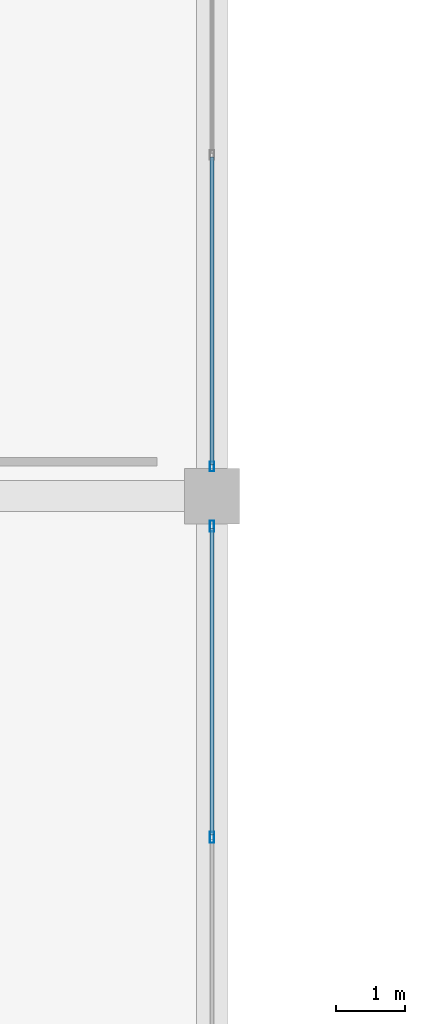
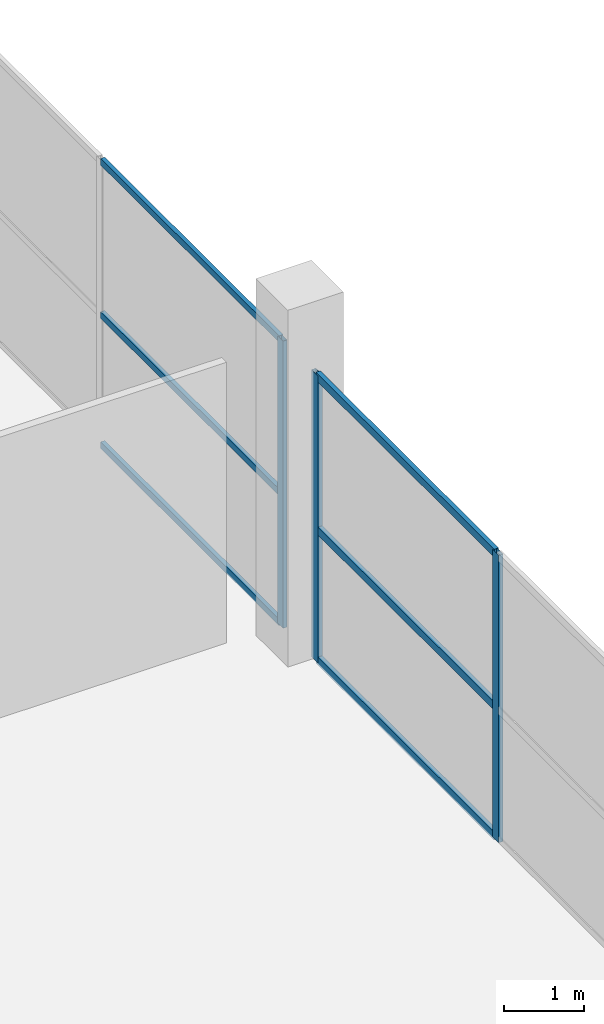
# One storey, part 29 of 72: 9 members, 2 elements without a shape of their own.
"""IFC4 building model written with IfcOpenShell, lengths in metres."""

from ifc_helpers import new_model, si_unit, direction, frame, origin, origin_2d, place, context, subcontext, project, spatial, hollow_rectangle, extrude, material, layer, layer_set, material_profile, profile_set, type_object, element, aggregate, save


model = new_model("IFC4")

# Units and contexts
model_context = context("Model", 3, precision=1e-05, world=origin(), true_north=direction((0.0, 1.0)))
body_context = subcontext(model_context, "Body", "Model", "MODEL_VIEW")
ifc_project = project(units=[si_unit("LENGTHUNIT", "METRE"), si_unit("AREAUNIT", "SQUARE_METRE"), si_unit("VOLUMEUNIT", "CUBIC_METRE"), si_unit("PLANEANGLEUNIT", "RADIAN"), si_unit("MASSUNIT", "GRAM", prefix="KILO")], contexts=[model_context])

# Site, building, storey
site_placement = place(None, origin())
site = spatial("IfcSite", under=ifc_project, at=site_placement, CompositionType="ELEMENT")
building_placement = place(site_placement, origin())
building = spatial("IfcBuilding", under=site, at=building_placement, Name="Sillaruma Civic Art Gallery", CompositionType="ELEMENT")
storey_placement = place(building_placement, frame((0.0, 0.0, 10.8798828125)))
storey = spatial("IfcBuildingStorey", under=building, at=storey_placement, Name="L02", CompositionType="ELEMENT", Elevation=10.8798828125)

# Curtain wall, member
ifc_material = material(Name="Thermally Broken Extruded Aluminium 6063-T6", Category="aluminium")
ifc_layer_1 = layer(ifc_material, 0.139892578125, Name="Thermally Broken Extruded Aluminium 6063-T6")
ifc_layer_set_1 = layer_set([ifc_layer_1], Name="Thermally Broken Extruded Aluminium 6063-T6")
curtain_wall_type_1 = type_object("IfcCurtainWallType", Name="CW-UNI-18", PredefinedType="NOTDEFINED", material=ifc_layer_set_1)
curtain_wall_1_placement = place(storey_placement, origin())
curtain_wall_1 = element("IfcCurtainWall", 1, at=curtain_wall_1_placement, inside=storey, type_object=curtain_wall_type_1, Name="Unitised Curtain Wall CW-18 (CW-L02-SPE-6)", PredefinedType="NOTDEFINED")
ifc_material_profile_1 = material_profile(ifc_material, hollow_rectangle(XDim=0.06005859375, YDim=0.139892578125, WallThickness=0.00341796875, at=origin_2d()), Name="CWM60x140")
ifc_profile_set_1 = profile_set([ifc_material_profile_1], Name="Thermally Broken Extruded Aluminium 6063-T6")
member_type_1 = type_object("IfcMemberType", Name="MEM-MUL-CWM60x140", PredefinedType="MULLION", material=ifc_profile_set_1)
member_1_placement = place(storey_placement, frame((114.39990234375, 69.72998046875, 0.0), z_axis=(0.0, 0.0, 1.0), x_axis=(-1.0, 0.0, 0.0)))
member_1 = element("IfcMember", 2, at=member_1_placement, type_object=member_type_1, Name="CW-18 mullion 1", PredefinedType="MULLION", context=body_context, shape_type="SweptSolid", body=[
    extrude(hollow_rectangle(XDim=0.06005859375, YDim=0.139892578125, WallThickness=0.00341796875, at=origin_2d()), origin(), (0.0, 0.0, 1.0), 4.380126953125),
])

# Curtain wall, members
ifc_layer_2 = layer(ifc_material, 0.159912109375, Name="Thermally Broken Extruded Aluminium 6063-T6")
ifc_layer_set_2 = layer_set([ifc_layer_2], Name="Thermally Broken Extruded Aluminium 6063-T6")
curtain_wall_type_2 = type_object("IfcCurtainWallType", Name="CW-UNI-17", PredefinedType="NOTDEFINED", material=ifc_layer_set_2)
curtain_wall_2_placement = place(storey_placement, origin())
curtain_wall_2 = element("IfcCurtainWall", 3, at=curtain_wall_2_placement, inside=storey, type_object=curtain_wall_type_2, Name="Unitised Curtain Wall CW-17 (CW-L02-SPE-5)", PredefinedType="NOTDEFINED")
ifc_material_profile_2 = material_profile(ifc_material, hollow_rectangle(XDim=0.06494140625, YDim=0.159912109375, WallThickness=0.00390625, at=origin_2d()), Name="CWM65x160")
ifc_profile_set_2 = profile_set([ifc_material_profile_2], Name="Thermally Broken Extruded Aluminium 6063-T6")
member_type_2 = type_object("IfcMemberType", Name="MEM-MUL-CWM65x160", PredefinedType="MULLION", material=ifc_profile_set_2)
member_2_placement = place(storey_placement, frame((114.39990234375, 64.35009765625, 0.0), z_axis=(0.0, 0.0, 1.0), x_axis=(-1.0, 0.0, 0.0)))
member_2 = element("IfcMember", 4, at=member_2_placement, type_object=member_type_2, Name="CW-17 mullion 2", PredefinedType="MULLION", context=body_context, shape_type="SweptSolid", body=[
    extrude(hollow_rectangle(XDim=0.06494140625, YDim=0.159912109375, WallThickness=0.00390625, at=origin_2d()), origin(), (0.0, 0.0, 1.0), 4.380126953125),
])
member_3_placement = place(storey_placement, frame((114.39990234375, 68.867431640625, 0.0), z_axis=(0.0, 0.0, 1.0), x_axis=(-1.0, 0.0, 0.0)))
member_3 = element("IfcMember", 5, at=member_3_placement, type_object=member_type_2, Name="CW-17 mullion 3", PredefinedType="MULLION", context=body_context, shape_type="SweptSolid", body=[
    extrude(hollow_rectangle(XDim=0.06494140625, YDim=0.159912109375, WallThickness=0.00390625, at=origin_2d()), origin(), (0.0, 0.0, 1.0), 4.380126953125),
])

# Member
ifc_material_profile_3 = material_profile(ifc_material, hollow_rectangle(XDim=0.06005859375, YDim=0.10009765625, WallThickness=0.003173828125, at=origin_2d()), Name="CWT60x100")
ifc_profile_set_3 = profile_set([ifc_material_profile_3], Name="Thermally Broken Extruded Aluminium 6063-T6")
member_type_3 = type_object("IfcMemberType", Name="MEM-TRN-CWT60x100", PredefinedType="USERDEFINED", material=ifc_profile_set_3)
member_4_placement = place(storey_placement, frame((114.39990234375, 69.760009765625, 0.030029296875), z_axis=(0.0, 1.0, 0.0), x_axis=(-1.0, 0.0, 0.0)))
member_4 = element("IfcMember", 6, at=member_4_placement, type_object=member_type_3, Name="CW-18 transom 1.1", ObjectType="TRANSOM", PredefinedType="USERDEFINED", context=body_context, shape_type="SweptSolid", body=[
    extrude(hollow_rectangle(XDim=0.06005859375, YDim=0.10009765625, WallThickness=0.003173828125, at=origin_2d()), origin(), (0.0, 0.0, 1.0), 4.4599609375),
])

member_5_placement = place(storey_placement, frame((114.39990234375, 69.760009765625, 2.014892578125), z_axis=(0.0, 1.0, 0.0), x_axis=(-1.0, 0.0, 0.0)))
member_5 = element("IfcMember", 7, at=member_5_placement, type_object=member_type_3, Name="CW-18 transom 1.2", ObjectType="TRANSOM", PredefinedType="USERDEFINED", context=body_context, shape_type="SweptSolid", body=[
    extrude(hollow_rectangle(XDim=0.06005859375, YDim=0.10009765625, WallThickness=0.003173828125, at=origin_2d()), origin(), (0.0, 0.0, 1.0), 4.4599609375),
])

member_6_placement = place(storey_placement, frame((114.39990234375, 69.760009765625, 4.35009765625), z_axis=(0.0, 1.0, 0.0), x_axis=(-1.0, 0.0, 0.0)))
member_6 = element("IfcMember", 8, at=member_6_placement, type_object=member_type_3, Name="CW-18 transom 1.3", ObjectType="TRANSOM", PredefinedType="USERDEFINED", context=body_context, shape_type="SweptSolid", body=[
    extrude(hollow_rectangle(XDim=0.06005859375, YDim=0.10009765625, WallThickness=0.003173828125, at=origin_2d()), origin(), (0.0, 0.0, 1.0), 4.4599609375),
])

aggregate(curtain_wall_1, [member_1, member_4, member_5, member_6])

ifc_material_profile_4 = material_profile(ifc_material, hollow_rectangle(XDim=0.06494140625, YDim=0.1201171875, WallThickness=0.00341796875, at=origin_2d()), Name="CWT65x120")
ifc_profile_set_4 = profile_set([ifc_material_profile_4], Name="Thermally Broken Extruded Aluminium 6063-T6")
member_type_4 = type_object("IfcMemberType", Name="MEM-TRN-CWT65x120", PredefinedType="USERDEFINED", material=ifc_profile_set_4)
member_7_placement = place(storey_placement, frame((114.39990234375, 64.382568359375, 0.03271484375), z_axis=(0.0, 1.0, 0.0), x_axis=(-1.0, 0.0, 0.0)))
member_7 = element("IfcMember", 9, at=member_7_placement, type_object=member_type_4, Name="CW-17 transom 2.1", ObjectType="TRANSOM", PredefinedType="USERDEFINED", context=body_context, shape_type="SweptSolid", body=[
    extrude(hollow_rectangle(XDim=0.06494140625, YDim=0.1201171875, WallThickness=0.00341796875, at=origin_2d()), origin(), (0.0, 0.0, 1.0), 4.452392578125),
])

member_8_placement = place(storey_placement, frame((114.39990234375, 64.382568359375, 2.014892578125), z_axis=(0.0, 1.0, 0.0), x_axis=(-1.0, 0.0, 0.0)))
member_8 = element("IfcMember", 10, at=member_8_placement, type_object=member_type_4, Name="CW-17 transom 2.2", ObjectType="TRANSOM", PredefinedType="USERDEFINED", context=body_context, shape_type="SweptSolid", body=[
    extrude(hollow_rectangle(XDim=0.06494140625, YDim=0.1201171875, WallThickness=0.00341796875, at=origin_2d()), origin(), (0.0, 0.0, 1.0), 4.452392578125),
])

member_9_placement = place(storey_placement, frame((114.39990234375, 64.382568359375, 4.34765625), z_axis=(0.0, 1.0, 0.0), x_axis=(-1.0, 0.0, 0.0)))
member_9 = element("IfcMember", 11, at=member_9_placement, type_object=member_type_4, Name="CW-17 transom 2.3", ObjectType="TRANSOM", PredefinedType="USERDEFINED", context=body_context, shape_type="SweptSolid", body=[
    extrude(hollow_rectangle(XDim=0.06494140625, YDim=0.1201171875, WallThickness=0.00341796875, at=origin_2d()), origin(), (0.0, 0.0, 1.0), 4.452392578125),
])

aggregate(curtain_wall_2, [member_2, member_3, member_7, member_8, member_9])

save(model, "model.ifc")
